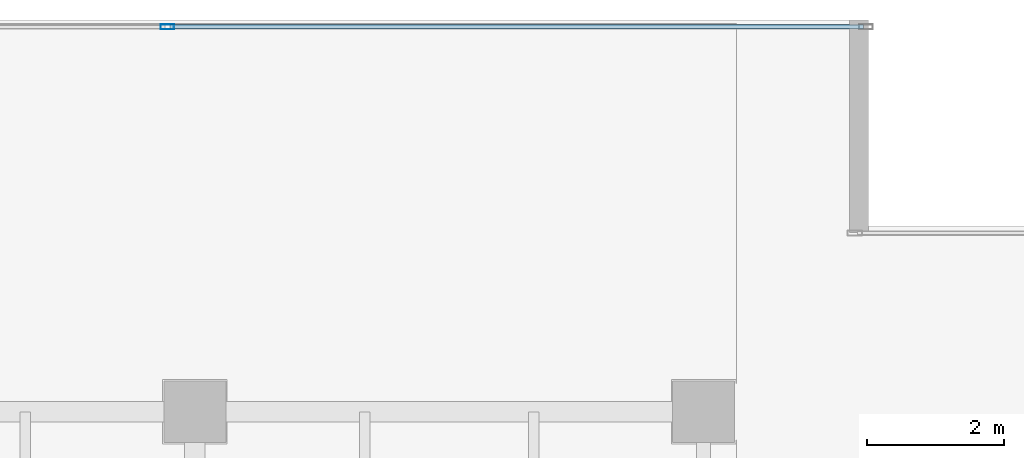
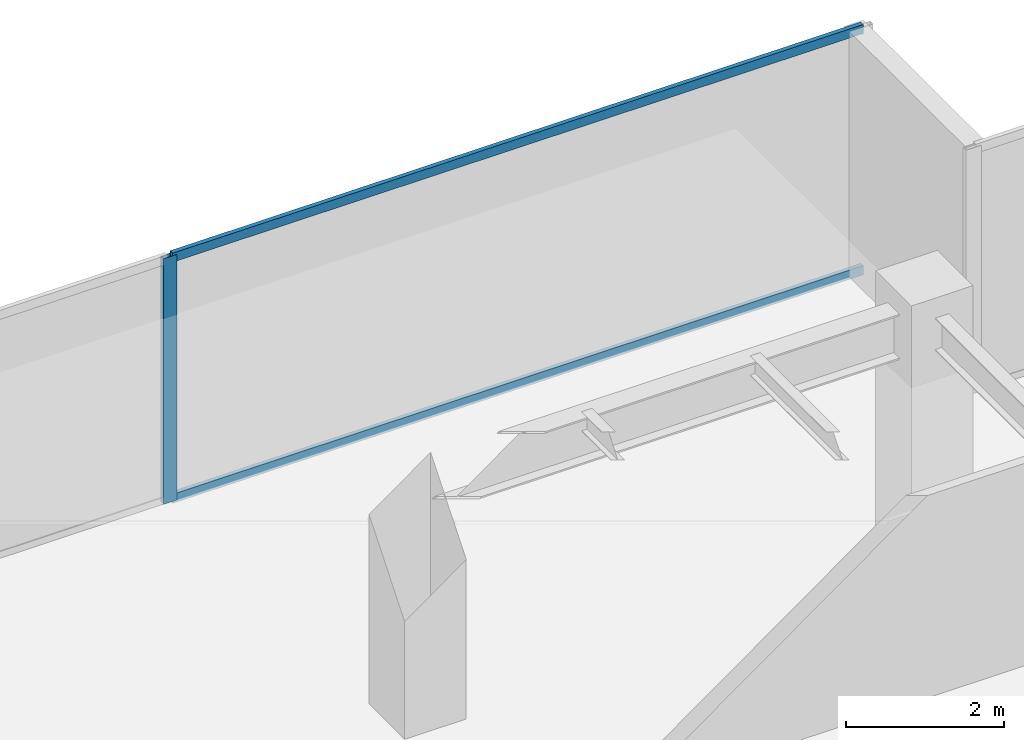
# One storey, part 20 of 33: 3 members, 1 element without a shape of its own.
"""IFC4 building model written with IfcOpenShell, lengths in metres."""

from ifc_helpers import new_model, si_unit, direction, frame, origin, origin_2d, place, context, subcontext, project, spatial, hollow_rectangle, extrude, source, transform, mapped, material, layer, layer_set, material_profile, profile_set, type_object, type_shapes, element, aggregate, save


model = new_model("IFC4")

# Units and contexts
model_context = context("Model", 3, precision=1e-05, world=origin(), true_north=direction((0.0, 1.0)))
body_context = subcontext(model_context, "Body", "Model", "MODEL_VIEW")
ifc_project = project(units=[si_unit("LENGTHUNIT", "METRE"), si_unit("AREAUNIT", "SQUARE_METRE"), si_unit("VOLUMEUNIT", "CUBIC_METRE"), si_unit("PLANEANGLEUNIT", "RADIAN"), si_unit("MASSUNIT", "GRAM", prefix="KILO")], contexts=[model_context])

# Site, building, storey
site_placement = place(None, origin())
site = spatial("IfcSite", under=ifc_project, at=site_placement, CompositionType="ELEMENT")
building_placement = place(site_placement, origin())
building = spatial("IfcBuilding", under=site, at=building_placement, Name="Haelvirn Gate Laboratories", CompositionType="ELEMENT")
storey_placement = place(building_placement, frame((0.0, 0.0, 117.39990234375)))
storey = spatial("IfcBuildingStorey", under=building, at=storey_placement, Name="L28", CompositionType="ELEMENT", Elevation=117.39990234375)

# Curtain wall, members
ifc_material_1 = material(Name="Anodised bronze unitised aluminium & triple low-E glass", Category="aluminium")
ifc_layer = layer(ifc_material_1, 0.179931640625, Name="CW-SYS-3")
ifc_layer_set = layer_set([ifc_layer], Name="Anodised bronze unitised aluminium & triple low-E glass")
curtain_wall_type = type_object("IfcCurtainWallType", Name="CW-SYS-3", PredefinedType="NOTDEFINED", material=ifc_layer_set)
curtain_wall_placement = place(storey_placement, origin())
curtain_wall = element("IfcCurtainWall", 1, at=curtain_wall_placement, inside=storey, type_object=curtain_wall_type, Name="L28 Unitised Curtain Wall CW-L28-P0-E10-1", PredefinedType="NOTDEFINED")
ifc_material_2 = material(Name="Extruded aluminium 6063-T6 (anodised bronze)", Category="aluminium")
ifc_material_profile_1 = material_profile(ifc_material_2, hollow_rectangle(XDim=0.06494140625, YDim=0.139892578125, WallThickness=0.00390625, at=origin_2d()), Name="CWT-140x65x4")
ifc_profile_set_1 = profile_set([ifc_material_profile_1], Name="Extruded aluminium 6063-T6 (anodised bronze)")
member_type_1 = type_object("IfcMemberType", Name="CWT-T140", PredefinedType="USERDEFINED", material=ifc_profile_set_1)
shared_shape_1 = source(origin(), body_context, "Body", "SweptSolid", [
    extrude(hollow_rectangle(XDim=0.06494140625, YDim=0.139892578125, WallThickness=0.00390625, at=origin_2d()), origin(), (0.0, 0.0, 1.0), 10.087646484375),
])
type_shapes(member_type_1, [shared_shape_1])
member_1_placement = place(storey_placement, frame((59.637451171875, 47.199951171875, 0.03271484375), z_axis=(1.0, 0.0, 0.0), x_axis=(0.0, 1.0, 0.0)))
member_1 = element("IfcMember", 2, at=member_1_placement, type_object=member_type_1, Name="CW3 transom 2.1", ObjectType="TRANSOM", PredefinedType="USERDEFINED", context=body_context, shape_type="MappedRepresentation", body=[
    mapped(shared_shape_1, transform((0.0, 0.0, 0.0), scale=1.0)),
])
member_2_placement = place(storey_placement, frame((59.637451171875, 47.199951171875, 3.757568359375), z_axis=(1.0, 0.0, 0.0), x_axis=(0.0, 1.0, 0.0)))
member_2 = element("IfcMember", 3, at=member_2_placement, type_object=member_type_1, Name="CW3 transom 2.2", ObjectType="TRANSOM", PredefinedType="USERDEFINED", context=body_context, shape_type="MappedRepresentation", body=[
    mapped(shared_shape_1, transform((0.0, 0.0, 0.0), scale=1.0)),
])
ifc_material_profile_2 = material_profile(ifc_material_2, hollow_rectangle(XDim=0.074951171875, YDim=0.199951171875, WallThickness=0.0048828125, at=origin_2d()), Name="CWM-200x75x5")
ifc_profile_set_2 = profile_set([ifc_material_profile_2], Name="Extruded aluminium 6063-T6 (anodised bronze)")
member_type_2 = type_object("IfcMemberType", Name="CWM-T200", PredefinedType="MULLION", material=ifc_profile_set_2)
shared_shape_2 = source(origin(), body_context, "Body", "SweptSolid", [
    extrude(hollow_rectangle(XDim=0.074951171875, YDim=0.199951171875, WallThickness=0.0048828125, at=origin_2d()), origin(), (0.0, 0.0, 1.0), 3.7900390625),
])
type_shapes(member_type_2, [shared_shape_2])
member_3_placement = place(storey_placement, frame((59.60009765625, 47.199951171875, 0.0), z_axis=(0.0, 0.0, 1.0), x_axis=(0.0, 1.0, 0.0)))
member_3 = element("IfcMember", 4, at=member_3_placement, type_object=member_type_2, Name="CW3 mullion 2", PredefinedType="MULLION", context=body_context, shape_type="MappedRepresentation", body=[
    mapped(shared_shape_2, transform((0.0, 0.0, 0.0), scale=1.0)),
])
aggregate(curtain_wall, [member_3, member_1, member_2])

save(model, "model.ifc")
